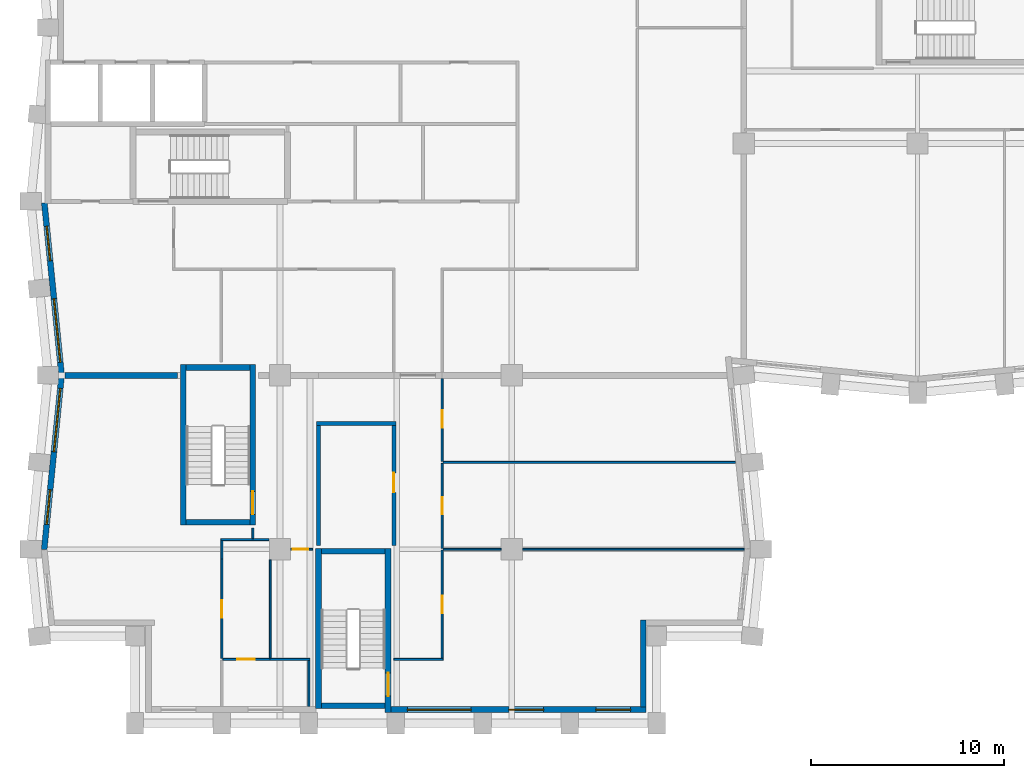
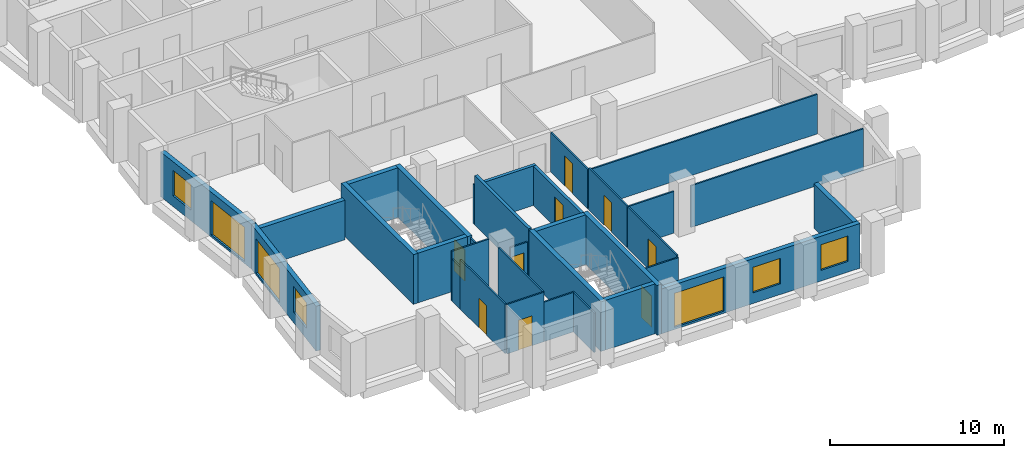
# One storey, part 3 of 10: 32 walls, 9 doors, 7 windows, 16 openings.
"""IFC4 building model written with IfcOpenShell, lengths in metres."""

from ifc_helpers import new_model, si_unit, direction, frame, frame_2d, origin, place, context, subcontext, project, spatial, rectangle, extrude, material, layer, layer_set, type_object, element, fill, save


model = new_model("IFC4")

# Units and contexts
model_context = context("Model", 3, precision=1e-05, world=origin(), true_north=direction((0.0, 1.0)))
body_context = subcontext(model_context, "Body", "Model", "MODEL_VIEW")
ifc_project = project(units=[si_unit("LENGTHUNIT", "METRE"), si_unit("AREAUNIT", "SQUARE_METRE"), si_unit("VOLUMEUNIT", "CUBIC_METRE"), si_unit("PLANEANGLEUNIT", "RADIAN"), si_unit("MASSUNIT", "GRAM", prefix="KILO")], contexts=[model_context])

# Site, building, storey
site_placement = place(None, origin())
site = spatial("IfcSite", under=ifc_project, at=site_placement, CompositionType="ELEMENT")
building_placement = place(site_placement, origin())
building = spatial("IfcBuilding", under=site, at=building_placement, Name="Brondeck Convention Tower", CompositionType="ELEMENT")
storey_placement = place(building_placement, frame((0.0, 0.0, 158.60009765625)))
storey = spatial("IfcBuildingStorey", under=building, at=storey_placement, Name="L38", CompositionType="ELEMENT", Elevation=158.60009765625)

# Wall
ifc_material_1 = material(Name="Concrete compartment wall C30/37", Category="concrete")
ifc_layer_1 = layer(ifc_material_1, 0.300048828125)
ifc_layer_set_1 = layer_set([ifc_layer_1], Name="Compartment wall 300")
wall_type_1 = type_object("IfcWallType", Name="Compartment wall 300", PredefinedType="PARTITIONING", material=ifc_layer_set_1)
wall_1_placement = place(storey_placement, frame((0.8740234375, 27.0, 0.0), z_axis=(0.0, 0.0, 1.0), x_axis=(1.0, 0.0, 0.0)))
element("IfcWall", 1, at=wall_1_placement, inside=storey, type_object=wall_type_1, Name="FLR-L38-W022", PredefinedType="PARTITIONING", context=body_context, shape_type="SweptSolid", body=[
    extrude(rectangle(XDim=5.825927734375, YDim=0.300048828125, at=frame_2d((2.9130859375, 0.0))), origin(), (0.0, 0.0, 1.0), 2.77978515625),
])

# Wall, openings, windows
ifc_material_2 = material(Name="Precast concrete C50/60 bronze finish", Category="concrete")
ifc_layer_2 = layer(ifc_material_2, 0.070068359375, Name="Bronze precast facing")
ifc_material_3 = material(Name="Mineral wool")
ifc_layer_3 = layer(ifc_material_3, 0.159912109375, Name="Insulation")
ifc_material_4 = material(Name="Concrete C35/45", Category="concrete")
ifc_layer_4 = layer(ifc_material_4, 0.070068359375, Name="Backing")
ifc_layer_set_2 = layer_set([ifc_layer_2, ifc_layer_3, ifc_layer_4], Name="External infill wall, precast concrete C50/60 bronze facing")
wall_type_2 = type_object("IfcWallType", Name="External infill wall, precast concrete C50/60 bronze facing", PredefinedType="SOLIDWALL", material=ifc_layer_set_2)
wall_2_placement = place(storey_placement, frame((30.949951171875, 9.699951171875, 0.0), z_axis=(0.0, 0.0, 1.0), x_axis=(-1.0, 0.0, 0.0)))
wall_2 = element("IfcWall", 2, at=wall_2_placement, inside=storey, type_object=wall_type_2, Name="ENV-EW-L38-P1-B-S9-04", PredefinedType="SOLIDWALL", context=body_context, shape_type="SweptSolid", body=[
    extrude(rectangle(XDim=13.199951171875, YDim=0.300048828125, at=frame_2d((6.60009765625, 0.0))), origin(), (0.0, 0.0, 1.0), 3.14990234375),
])
opening_1_placement = place(wall_2_placement, frame((0.800048828125, 0.0, 0.75)))
opening_1 = element("IfcOpeningElement", 3, at=opening_1_placement, cuts=wall_2, Name="Opening W10", PredefinedType="OPENING", context=body_context, shape_type="SweptSolid", body=[
    extrude(rectangle(XDim=1.800048828125, YDim=1.800048828125, at=frame_2d((0.89990234375, 0.89990234375))), frame((0.0, 0.159912109375, 0.0), z_axis=(0.0, -1.0, 0.0), x_axis=(1.0, 0.0, 0.0)), (0.0, 0.0, 1.0), 0.320068359375),
])
opening_2_placement = place(wall_2_placement, frame((5.300048828125, 0.0, 0.75)))
opening_2 = element("IfcOpeningElement", 4, at=opening_2_placement, cuts=wall_2, Name="Opening W10", PredefinedType="OPENING", context=body_context, shape_type="SweptSolid", body=[
    extrude(rectangle(XDim=1.800048828125, YDim=1.800048828125, at=frame_2d((0.89990234375, 0.89990234375))), frame((0.0, 0.159912109375, 0.0), z_axis=(0.0, -1.0, 0.0), x_axis=(1.0, 0.0, 0.0)), (0.0, 0.0, 1.0), 0.320068359375),
])
opening_3_placement = place(wall_2_placement, frame((9.050048828125, 0.0, 0.14990234375)))
opening_3 = element("IfcOpeningElement", 5, at=opening_3_placement, cuts=wall_2, Name="Opening W9", PredefinedType="OPENING", context=body_context, shape_type="SweptSolid", body=[
    extrude(rectangle(XDim=3.300048828125, YDim=2.39990234375, at=frame_2d((1.64990234375, 1.199951171875))), frame((0.0, 0.159912109375, 0.0), z_axis=(0.0, -1.0, 0.0), x_axis=(1.0, 0.0, 0.0)), (0.0, 0.0, 1.0), 0.320068359375),
])
ifc_material_5 = material(Name="Bronze tinted double glazing", Category="glass")
window_type_1 = type_object("IfcWindowType", Name="Glazed flute window, bronze tinted", PartitioningType="SINGLE_PANEL", PredefinedType="WINDOW", material=ifc_material_5)
window_1_placement = place(opening_3_placement, origin())
window_1 = element("IfcWindow", 6, at=window_1_placement, inside=storey, type_object=window_type_1, Name="ENV-WN-L38-P1-B-S9-04", OverallHeight=2.39990234375, OverallWidth=3.300048828125, PartitioningType="SINGLE_PANEL", PredefinedType="WINDOW", context=body_context, shape_type="SweptSolid", body=[
    extrude(rectangle(XDim=3.300048828125, YDim=2.39990234375, at=frame_2d((1.64990234375, 1.199951171875))), frame((0.0, 0.030029296875, 0.0), z_axis=(0.0, -1.0, 0.0), x_axis=(1.0, 0.0, 0.0)), (0.0, 0.0, 1.0), 0.06005859375),
])
fill(opening_3, window_1)
window_type_2 = type_object("IfcWindowType", Name="Punched window, bronze tinted", PartitioningType="SINGLE_PANEL", PredefinedType="WINDOW", material=ifc_material_5)
window_2_placement = place(opening_1_placement, origin())
window_2 = element("IfcWindow", 7, at=window_2_placement, inside=storey, type_object=window_type_2, Name="ENV-WN-L38-P1-B-S9-06", OverallHeight=1.800048828125, OverallWidth=1.800048828125, PartitioningType="SINGLE_PANEL", PredefinedType="WINDOW", context=body_context, shape_type="SweptSolid", body=[
    extrude(rectangle(XDim=1.800048828125, YDim=1.800048828125, at=frame_2d((0.89990234375, 0.89990234375))), frame((0.0, 0.030029296875, 0.0), z_axis=(0.0, -1.0, 0.0), x_axis=(1.0, 0.0, 0.0)), (0.0, 0.0, 1.0), 0.06005859375),
])
fill(opening_1, window_2)
window_3_placement = place(opening_2_placement, origin())
window_3 = element("IfcWindow", 8, at=window_3_placement, inside=storey, type_object=window_type_2, Name="ENV-WN-L38-P1-B-S9-05", OverallHeight=1.800048828125, OverallWidth=1.800048828125, PartitioningType="SINGLE_PANEL", PredefinedType="WINDOW", context=body_context, shape_type="SweptSolid", body=[
    extrude(rectangle(XDim=1.800048828125, YDim=1.800048828125, at=frame_2d((0.89990234375, 0.89990234375))), frame((0.0, 0.030029296875, 0.0), z_axis=(0.0, -1.0, 0.0), x_axis=(1.0, 0.0, 0.0)), (0.0, 0.0, 1.0), 0.06005859375),
])
fill(opening_2, window_3)

# Wall
wall_3_placement = place(storey_placement, frame((30.800048828125, 14.35009765625, 0.0), z_axis=(0.0, 0.0, 1.0), x_axis=(0.0, -1.0, 0.0)))
element("IfcWall", 9, at=wall_3_placement, inside=storey, type_object=wall_type_2, Name="ENV-EW-L38-P1-NC-SEB9-01", PredefinedType="SOLIDWALL", context=body_context, shape_type="SweptSolid", body=[
    extrude(rectangle(XDim=4.502197265625, YDim=0.300048828125, at=frame_2d((2.2509765625, 0.0))), origin(), (0.0, 0.0, 1.0), 3.14990234375),
])

# Wall, openings, windows
wall_4_placement = place(storey_placement, frame((0.705078125, 26.985107421875, 0.0), z_axis=(0.0, 0.0, 1.0), x_axis=(-0.099533329093, 0.995034228758, 0.0)))
wall_4 = element("IfcWall", 10, at=wall_4_placement, inside=storey, type_object=wall_type_2, Name="ENV-EW-L38-P1-B-W-06", PredefinedType="SOLIDWALL", context=body_context, shape_type="SweptSolid", body=[
    extrude(rectangle(XDim=8.97998046875, YDim=0.300048828125, at=frame_2d((4.489990234375, 0.0))), origin(), (0.0, 0.0, 1.0), 3.14990234375),
])
opening_4_placement = place(wall_4_placement, frame((0.6962890625, 0.0, 0.14990234375)))
opening_4 = element("IfcOpeningElement", 11, at=opening_4_placement, cuts=wall_4, Name="Opening W9", PredefinedType="OPENING", context=body_context, shape_type="SweptSolid", body=[
    extrude(rectangle(XDim=3.300048828125, YDim=2.39990234375, at=frame_2d((1.64990234375, 1.199951171875))), frame((0.0, 0.159912109375, 0.0), z_axis=(0.0, -1.0, 0.0), x_axis=(1.0, 0.0, 0.0)), (0.0, 0.0, 1.0), 0.320068359375),
])
opening_5_placement = place(wall_4_placement, frame((5.968505859375, 0.0, 0.75)))
opening_5 = element("IfcOpeningElement", 12, at=opening_5_placement, cuts=wall_4, Name="Opening W10", PredefinedType="OPENING", context=body_context, shape_type="SweptSolid", body=[
    extrude(rectangle(XDim=1.800048828125, YDim=1.800048828125, at=frame_2d((0.89990234375, 0.89990234375))), frame((0.0, 0.159912109375, 0.0), z_axis=(0.0, -1.0, 0.0), x_axis=(1.0, 0.0, 0.0)), (0.0, 0.0, 1.0), 0.320068359375),
])
window_4_placement = place(opening_4_placement, origin())
window_4 = element("IfcWindow", 13, at=window_4_placement, inside=storey, type_object=window_type_1, Name="ENV-WN-L38-P1-B-W-07", OverallHeight=2.39990234375, OverallWidth=3.300048828125, PartitioningType="SINGLE_PANEL", PredefinedType="WINDOW", context=body_context, shape_type="SweptSolid", body=[
    extrude(rectangle(XDim=3.300048828125, YDim=2.39990234375, at=frame_2d((1.64990234375, 1.199951171875))), frame((0.0, 0.030029296875, 0.0), z_axis=(0.0, -1.0, 0.0), x_axis=(1.0, 0.0, 0.0)), (0.0, 0.0, 1.0), 0.06005859375),
])
fill(opening_4, window_4)
window_5_placement = place(opening_5_placement, origin())
window_5 = element("IfcWindow", 14, at=window_5_placement, inside=storey, type_object=window_type_2, Name="ENV-WN-L38-P1-B-W-06", OverallHeight=1.800048828125, OverallWidth=1.800048828125, PartitioningType="SINGLE_PANEL", PredefinedType="WINDOW", context=body_context, shape_type="SweptSolid", body=[
    extrude(rectangle(XDim=1.800048828125, YDim=1.800048828125, at=frame_2d((0.89990234375, 0.89990234375))), frame((0.0, 0.030029296875, 0.0), z_axis=(0.0, -1.0, 0.0), x_axis=(1.0, 0.0, 0.0)), (0.0, 0.0, 1.0), 0.06005859375),
])
fill(opening_5, window_5)

wall_5_placement = place(storey_placement, frame((-0.197998046875, 17.985107421875, 0.0), z_axis=(0.0, 0.0, 1.0), x_axis=(0.099495688264, 0.995037993253, 0.0)))
wall_5 = element("IfcWall", 15, at=wall_5_placement, inside=storey, type_object=wall_type_2, Name="ENV-EW-L38-P1-B-W-08", PredefinedType="SOLIDWALL", context=body_context, shape_type="SweptSolid", body=[
    extrude(rectangle(XDim=9.030029296875, YDim=0.300048828125, at=frame_2d((4.51513671875, 0.0))), origin(), (0.0, 0.0, 1.0), 3.14990234375),
])
opening_6_placement = place(wall_5_placement, frame((1.30615234375, 0.0, 0.75)))
opening_6 = element("IfcOpeningElement", 16, at=opening_6_placement, cuts=wall_5, Name="Opening W10", PredefinedType="OPENING", context=body_context, shape_type="SweptSolid", body=[
    extrude(rectangle(XDim=1.800048828125, YDim=1.800048828125, at=frame_2d((0.89990234375, 0.89990234375))), frame((0.0, 0.159912109375, 0.0), z_axis=(0.0, -1.0, 0.0), x_axis=(1.0, 0.0, 0.0)), (0.0, 0.0, 1.0), 0.320068359375),
])
opening_7_placement = place(wall_5_placement, frame((5.07861328125, 0.0, 0.14990234375)))
opening_7 = element("IfcOpeningElement", 17, at=opening_7_placement, cuts=wall_5, Name="Opening W9", PredefinedType="OPENING", context=body_context, shape_type="SweptSolid", body=[
    extrude(rectangle(XDim=3.300048828125, YDim=2.39990234375, at=frame_2d((1.64990234375, 1.199951171875))), frame((0.0, 0.159912109375, 0.0), z_axis=(0.0, -1.0, 0.0), x_axis=(1.0, 0.0, 0.0)), (0.0, 0.0, 1.0), 0.320068359375),
])
window_6_placement = place(opening_7_placement, origin())
window_6 = element("IfcWindow", 18, at=window_6_placement, inside=storey, type_object=window_type_1, Name="ENV-WN-L38-P1-B-W-08", OverallHeight=2.39990234375, OverallWidth=3.300048828125, PartitioningType="SINGLE_PANEL", PredefinedType="WINDOW", context=body_context, shape_type="SweptSolid", body=[
    extrude(rectangle(XDim=3.300048828125, YDim=2.39990234375, at=frame_2d((1.64990234375, 1.199951171875))), frame((0.0, 0.030029296875, 0.0), z_axis=(0.0, -1.0, 0.0), x_axis=(1.0, 0.0, 0.0)), (0.0, 0.0, 1.0), 0.06005859375),
])
fill(opening_7, window_6)
window_7_placement = place(opening_6_placement, origin())
window_7 = element("IfcWindow", 19, at=window_7_placement, inside=storey, type_object=window_type_2, Name="ENV-WN-L38-P1-B-W-09", OverallHeight=1.800048828125, OverallWidth=1.800048828125, PartitioningType="SINGLE_PANEL", PredefinedType="WINDOW", context=body_context, shape_type="SweptSolid", body=[
    extrude(rectangle(XDim=1.800048828125, YDim=1.800048828125, at=frame_2d((0.89990234375, 0.89990234375))), frame((0.0, 0.030029296875, 0.0), z_axis=(0.0, -1.0, 0.0), x_axis=(1.0, 0.0, 0.0)), (0.0, 0.0, 1.0), 0.06005859375),
])
fill(opening_6, window_7)

# Wall, opening, door
ifc_material_6 = material(Name="Concrete block wall C16/20", Category="concrete")
ifc_layer_5 = layer(ifc_material_6, 0.199951171875)
ifc_layer_set_3 = layer_set([ifc_layer_5], Name="Plant room wall 200")
wall_type_3 = type_object("IfcWallType", Name="Plant room wall 200", PredefinedType="PARTITIONING", material=ifc_layer_set_3)
wall_6_placement = place(storey_placement, frame((17.89990234375, 18.199951171875, 0.0), z_axis=(0.0, 0.0, 1.0), x_axis=(0.0, 1.0, 0.0)))
wall_6 = element("IfcWall", 20, at=wall_6_placement, inside=storey, type_object=wall_type_3, Name="FLR-L38-W014", PredefinedType="PARTITIONING", context=body_context, shape_type="SweptSolid", body=[
    extrude(rectangle(XDim=6.199951171875, YDim=0.199951171875, at=frame_2d((3.10009765625, 0.0))), origin(), (0.0, 0.0, 1.0), 2.77978515625),
])
opening_8_placement = place(wall_6_placement, frame((2.75, 0.0, 0.0)))
opening_8 = element("IfcOpeningElement", 21, at=opening_8_placement, cuts=wall_6, Name="Opening OF-G-003", PredefinedType="OPENING", context=body_context, shape_type="SweptSolid", body=[
    extrude(rectangle(XDim=1.0, YDim=2.10009765625, at=frame_2d((0.5, 1.050048828125))), frame((0.0, 0.10986328125, 0.0), z_axis=(0.0, -1.0, 0.0), x_axis=(1.0, 0.0, 0.0)), (0.0, 0.0, 1.0), 0.219970703125),
])
ifc_material_7 = material(Name="Steel fire door leaf", Category="steel")
door_type_1 = type_object("IfcDoorType", Name="Plant room door 1000", OperationType="NOTDEFINED", PredefinedType="DOOR", material=ifc_material_7)
door_1_placement = place(opening_8_placement, origin())
door_1 = element("IfcDoor", 22, at=door_1_placement, inside=storey, type_object=door_type_1, Name="Door OF-G-003", OperationType="SINGLE_SWING_LEFT", OverallHeight=2.10009765625, OverallWidth=1.0, PredefinedType="DOOR", context=body_context, shape_type="SweptSolid", body=[
    extrude(rectangle(XDim=1.0, YDim=2.10009765625, at=frame_2d((0.5, 1.050048828125))), frame((0.0, 0.02490234375, 0.0), z_axis=(0.0, -1.0, 0.0), x_axis=(1.0, 0.0, 0.0)), (0.0, 0.0, 1.0), 0.050048828125),
])
fill(opening_8, door_1)

# Walls
wall_7_placement = place(storey_placement, frame((14.0, 24.39990234375, 0.0), z_axis=(0.0, 0.0, 1.0), x_axis=(0.0, -1.0, 0.0)))
element("IfcWall", 23, at=wall_7_placement, inside=storey, type_object=wall_type_3, Name="FLR-L38-W019", PredefinedType="PARTITIONING", context=body_context, shape_type="SweptSolid", body=[
    extrude(rectangle(XDim=6.199951171875, YDim=0.199951171875, at=frame_2d((3.10009765625, 0.0))), origin(), (0.0, 0.0, 1.0), 3.47998046875),
])
wall_8_placement = place(storey_placement, frame((18.0, 24.5, 0.0), z_axis=(0.0, 0.0, 1.0), x_axis=(-1.0, 0.0, 0.0)))
element("IfcWall", 24, at=wall_8_placement, inside=storey, type_object=wall_type_3, Name="FLR-L38-W020", PredefinedType="PARTITIONING", context=body_context, shape_type="SweptSolid", body=[
    extrude(rectangle(XDim=4.10009765625, YDim=0.199951171875, at=frame_2d((2.050048828125, 0.0))), origin(), (0.0, 0.0, 1.0), 2.77978515625),
])
ifc_material_8 = material(Name="Gypsum board partition on steel studs", Category="steel")
ifc_layer_6 = layer(ifc_material_8, 0.10009765625)
ifc_layer_set_4 = layer_set([ifc_layer_6], Name="Room partition 100")
wall_type_4 = type_object("IfcWallType", Name="Room partition 100", PredefinedType="PARTITIONING", material=ifc_layer_set_4)
wall_9_placement = place(storey_placement, frame((13.5, 12.25, 0.0), z_axis=(0.0, 0.0, 1.0), x_axis=(0.0, -1.0, 0.0)))
element("IfcWall", 25, at=wall_9_placement, inside=storey, type_object=wall_type_4, Name="FLR-L38-W003", PredefinedType="PARTITIONING", context=body_context, shape_type="SweptSolid", body=[
    extrude(rectangle(XDim=2.3798828125, YDim=0.10009765625, at=frame_2d((1.18994140625, 0.0))), origin(), (0.0, 0.0, 1.0), 2.77978515625),
])

# Wall, opening, door
wall_10_placement = place(storey_placement, frame((11.5, 12.300048828125, 0.0), z_axis=(0.0, 0.0, 1.0), x_axis=(-1.0, 0.0, 0.0)))
wall_10 = element("IfcWall", 26, at=wall_10_placement, inside=storey, type_object=wall_type_4, Name="FLR-L38-W004", PredefinedType="PARTITIONING", context=body_context, shape_type="SweptSolid", body=[
    extrude(rectangle(XDim=2.449951171875, YDim=0.10009765625, at=frame_2d((1.22509765625, 0.0))), origin(), (0.0, 0.0, 1.0), 3.47998046875),
])
opening_9_placement = place(wall_10_placement, frame((0.800048828125, 0.0, 0.0)))
opening_9 = element("IfcOpeningElement", 27, at=opening_9_placement, cuts=wall_10, Name="Opening OF-G-001", PredefinedType="OPENING", context=body_context, shape_type="SweptSolid", body=[
    extrude(rectangle(XDim=0.89990234375, YDim=2.10009765625, at=frame_2d((0.449951171875, 1.050048828125))), frame((0.0, 0.06005859375, 0.0), z_axis=(0.0, -1.0, 0.0), x_axis=(1.0, 0.0, 0.0)), (0.0, 0.0, 1.0), 0.1201171875),
])
ifc_material_9 = material(Name="Solid timber door leaf", Category="wood")
door_type_2 = type_object("IfcDoorType", Name="Single door 900", OperationType="NOTDEFINED", PredefinedType="DOOR", material=ifc_material_9)
door_2_placement = place(opening_9_placement, origin())
door_2 = element("IfcDoor", 28, at=door_2_placement, inside=storey, type_object=door_type_2, Name="Door OF-G-001", OperationType="SINGLE_SWING_RIGHT", OverallHeight=2.10009765625, OverallWidth=0.89990234375, PredefinedType="DOOR", context=body_context, shape_type="SweptSolid", body=[
    extrude(rectangle(XDim=0.89990234375, YDim=2.10009765625, at=frame_2d((0.449951171875, 1.050048828125))), frame((0.0, 0.02490234375, 0.0), z_axis=(0.0, -1.0, 0.0), x_axis=(1.0, 0.0, 0.0)), (0.0, 0.0, 1.0), 0.050048828125),
])
fill(opening_9, door_2)

# Walls
wall_11_placement = place(storey_placement, frame((11.5, 12.300048828125, 0.0), z_axis=(0.0, 0.0, 1.0), x_axis=(1.0, 0.0, 0.0)))
element("IfcWall", 29, at=wall_11_placement, inside=storey, type_object=wall_type_4, Name="FLR-L38-W005", PredefinedType="PARTITIONING", context=body_context, shape_type="SweptSolid", body=[
    extrude(rectangle(XDim=2.050048828125, YDim=0.10009765625, at=frame_2d((1.02490234375, 0.0))), origin(), (0.0, 0.0, 1.0), 2.77978515625),
])
wall_12_placement = place(storey_placement, frame((20.449951171875, 12.300048828125, 0.0), z_axis=(0.0, 0.0, 1.0), x_axis=(-1.0, 0.0, 0.0)))
element("IfcWall", 30, at=wall_12_placement, inside=storey, type_object=wall_type_4, Name="FLR-L38-W006", PredefinedType="PARTITIONING", context=body_context, shape_type="SweptSolid", body=[
    extrude(rectangle(XDim=2.550048828125, YDim=0.10009765625, at=frame_2d((1.27490234375, 0.0))), origin(), (0.0, 0.0, 1.0), 2.77978515625),
])

# Wall, opening, door
wall_13_placement = place(storey_placement, frame((9.0, 12.35009765625, 0.0), z_axis=(0.0, 0.0, 1.0), x_axis=(0.0, 1.0, 0.0)))
wall_13 = element("IfcWall", 31, at=wall_13_placement, inside=storey, type_object=wall_type_4, Name="FLR-L38-W007", PredefinedType="PARTITIONING", context=body_context, shape_type="SweptSolid", body=[
    extrude(rectangle(XDim=5.14990234375, YDim=0.10009765625, at=frame_2d((2.574951171875, 0.0))), origin(), (0.0, 0.0, 1.0), 3.47998046875),
])
opening_10_placement = place(wall_13_placement, frame((2.10009765625, 0.0, 0.0)))
opening_10 = element("IfcOpeningElement", 32, at=opening_10_placement, cuts=wall_13, Name="Opening OF-G-012", PredefinedType="OPENING", context=body_context, shape_type="SweptSolid", body=[
    extrude(rectangle(XDim=0.89990234375, YDim=2.10009765625, at=frame_2d((0.449951171875, 1.050048828125))), frame((0.0, 0.06005859375, 0.0), z_axis=(0.0, -1.0, 0.0), x_axis=(1.0, 0.0, 0.0)), (0.0, 0.0, 1.0), 0.1201171875),
])
door_3_placement = place(opening_10_placement, origin())
door_3 = element("IfcDoor", 33, at=door_3_placement, inside=storey, type_object=door_type_2, Name="Door OF-G-012", OperationType="SINGLE_SWING_RIGHT", OverallHeight=2.10009765625, OverallWidth=0.89990234375, PredefinedType="DOOR", context=body_context, shape_type="SweptSolid", body=[
    extrude(rectangle(XDim=0.89990234375, YDim=2.10009765625, at=frame_2d((0.449951171875, 1.050048828125))), frame((0.0, 0.02490234375, 0.0), z_axis=(0.0, -1.0, 0.0), x_axis=(1.0, 0.0, 0.0)), (0.0, 0.0, 1.0), 0.050048828125),
])
fill(opening_10, door_3)

# Walls
wall_14_placement = place(storey_placement, frame((11.5, 17.445068359375, 0.0), z_axis=(0.0, 0.0, 1.0), x_axis=(0.0, -1.0, 0.0)))
element("IfcWall", 34, at=wall_14_placement, inside=storey, type_object=wall_type_4, Name="FLR-L38-W008", PredefinedType="PARTITIONING", context=body_context, shape_type="SweptSolid", body=[
    extrude(rectangle(XDim=5.094970703125, YDim=0.10009765625, at=frame_2d((2.54736328125, 0.0))), origin(), (0.0, 0.0, 1.0), 3.47998046875),
])
wall_15_placement = place(storey_placement, frame((9.0, 17.5, 0.0), z_axis=(0.0, 0.0, 1.0), x_axis=(0.0, 1.0, 0.0)))
element("IfcWall", 35, at=wall_15_placement, inside=storey, type_object=wall_type_4, Name="FLR-L38-W009", PredefinedType="PARTITIONING", context=body_context, shape_type="SweptSolid", body=[
    extrude(rectangle(XDim=0.949951171875, YDim=0.10009765625, at=frame_2d((0.47509765625, 0.0))), origin(), (0.0, 0.0, 1.0), 2.929931640625),
])

# Wall, opening, door
wall_16_placement = place(storey_placement, frame((20.39990234375, 17.949951171875, 0.0), z_axis=(0.0, 0.0, 1.0), x_axis=(0.0, -1.0, 0.0)))
wall_16 = element("IfcWall", 36, at=wall_16_placement, inside=storey, type_object=wall_type_4, Name="FLR-L38-W010", PredefinedType="PARTITIONING", context=body_context, shape_type="SweptSolid", body=[
    extrude(rectangle(XDim=5.599853515625, YDim=0.10009765625, at=frame_2d((2.7998046875, 0.0))), origin(), (0.0, 0.0, 1.0), 2.929931640625),
])
opening_11_placement = place(wall_16_placement, frame((2.35009765625, 0.0, 0.0)))
opening_11 = element("IfcOpeningElement", 37, at=opening_11_placement, cuts=wall_16, Name="Opening OF-G-011", PredefinedType="OPENING", context=body_context, shape_type="SweptSolid", body=[
    extrude(rectangle(XDim=0.89990234375, YDim=2.10009765625, at=frame_2d((0.449951171875, 1.050048828125))), frame((0.0, 0.06005859375, 0.0), z_axis=(0.0, -1.0, 0.0), x_axis=(1.0, 0.0, 0.0)), (0.0, 0.0, 1.0), 0.1201171875),
])
door_4_placement = place(opening_11_placement, origin())
door_4 = element("IfcDoor", 38, at=door_4_placement, inside=storey, type_object=door_type_2, Name="Door OF-G-011", OperationType="SINGLE_SWING_LEFT", OverallHeight=2.10009765625, OverallWidth=0.89990234375, PredefinedType="DOOR", context=body_context, shape_type="SweptSolid", body=[
    extrude(rectangle(XDim=0.89990234375, YDim=2.10009765625, at=frame_2d((0.449951171875, 1.050048828125))), frame((0.0, 0.02490234375, 0.0), z_axis=(0.0, -1.0, 0.0), x_axis=(1.0, 0.0, 0.0)), (0.0, 0.0, 1.0), 0.050048828125),
])
fill(opening_11, door_4)

wall_17_placement = place(storey_placement, frame((13.699951171875, 18.0, 0.0), z_axis=(0.0, 0.0, 1.0), x_axis=(-1.0, 0.0, 0.0)))
wall_17 = element("IfcWall", 39, at=wall_17_placement, inside=storey, type_object=wall_type_4, Name="FLR-L38-W011", PredefinedType="PARTITIONING", context=body_context, shape_type="SweptSolid", body=[
    extrude(rectangle(XDim=1.14501953125, YDim=0.10009765625, at=frame_2d((0.572509765625, 0.0))), origin(), (0.0, 0.0, 1.0), 2.77978515625),
])
opening_12_placement = place(wall_17_placement, frame((0.2451171875, 0.0, 0.0)))
opening_12 = element("IfcOpeningElement", 40, at=opening_12_placement, cuts=wall_17, Name="Opening OF-G-004", PredefinedType="OPENING", context=body_context, shape_type="SweptSolid", body=[
    extrude(rectangle(XDim=0.800048828125, YDim=2.10009765625, at=frame_2d((0.39990234375, 1.050048828125))), frame((0.0, 0.06005859375, 0.0), z_axis=(0.0, -1.0, 0.0), x_axis=(1.0, 0.0, 0.0)), (0.0, 0.0, 1.0), 0.1201171875),
])
ifc_material_10 = material(Name="Steel service door leaf", Category="steel")
door_type_3 = type_object("IfcDoorType", Name="Service door 800", OperationType="NOTDEFINED", PredefinedType="DOOR", material=ifc_material_10)
door_5_placement = place(opening_12_placement, origin())
door_5 = element("IfcDoor", 41, at=door_5_placement, inside=storey, type_object=door_type_3, Name="Door OF-G-004", OperationType="SINGLE_SWING_LEFT", OverallHeight=2.10009765625, OverallWidth=0.800048828125, PredefinedType="DOOR", context=body_context, shape_type="SweptSolid", body=[
    extrude(rectangle(XDim=0.800048828125, YDim=2.10009765625, at=frame_2d((0.39990234375, 1.050048828125))), frame((0.0, 0.02490234375, 0.0), z_axis=(0.0, -1.0, 0.0), x_axis=(1.0, 0.0, 0.0)), (0.0, 0.0, 1.0), 0.050048828125),
])
fill(opening_12, door_5)

# Walls
wall_18_placement = place(storey_placement, frame((23.445068359375, 18.0, 0.0), z_axis=(0.0, 0.0, 1.0), x_axis=(-1.0, 0.0, 0.0)))
element("IfcWall", 42, at=wall_18_placement, inside=storey, type_object=wall_type_4, Name="FLR-L38-W012", PredefinedType="PARTITIONING", context=body_context, shape_type="SweptSolid", body=[
    extrude(rectangle(XDim=2.9951171875, YDim=0.10009765625, at=frame_2d((1.49755859375, 0.0))), origin(), (0.0, 0.0, 1.0), 2.929931640625),
])
wall_19_placement = place(storey_placement, frame((36.02587890625, 18.0, 0.0), z_axis=(0.0, 0.0, 1.0), x_axis=(-1.0, 0.0, 0.0)))
element("IfcWall", 43, at=wall_19_placement, inside=storey, type_object=wall_type_4, Name="FLR-L38-W013", PredefinedType="PARTITIONING", context=body_context, shape_type="SweptSolid", body=[
    extrude(rectangle(XDim=11.470947265625, YDim=0.10009765625, at=frame_2d((5.7353515625, 0.0))), origin(), (0.0, 0.0, 1.0), 2.929931640625),
])
wall_20_placement = place(storey_placement, frame((8.949951171875, 18.5, 0.0), z_axis=(0.0, 0.0, 1.0), x_axis=(1.0, 0.0, 0.0)))
element("IfcWall", 44, at=wall_20_placement, inside=storey, type_object=wall_type_4, Name="FLR-L38-W015", PredefinedType="PARTITIONING", context=body_context, shape_type="SweptSolid", body=[
    extrude(rectangle(XDim=2.47998046875, YDim=0.10009765625, at=frame_2d((1.239990234375, 0.0))), origin(), (0.0, 0.0, 1.0), 3.47998046875),
])
wall_21_placement = place(storey_placement, frame((10.60009765625, 18.550048828125, 0.0), z_axis=(0.0, 0.0, 1.0), x_axis=(0.0, 1.0, 0.0)))
element("IfcWall", 45, at=wall_21_placement, inside=storey, type_object=wall_type_4, Name="FLR-L38-W016", PredefinedType="PARTITIONING", context=body_context, shape_type="SweptSolid", body=[
    extrude(rectangle(XDim=0.550048828125, YDim=0.10009765625, at=frame_2d((0.27490234375, 0.0))), origin(), (0.0, 0.0, 1.0), 3.47998046875),
])

# Wall, opening, door
wall_22_placement = place(storey_placement, frame((20.39990234375, 22.449951171875, 0.0), z_axis=(0.0, 0.0, 1.0), x_axis=(0.0, -1.0, 0.0)))
wall_22 = element("IfcWall", 46, at=wall_22_placement, inside=storey, type_object=wall_type_4, Name="FLR-L38-W017", PredefinedType="PARTITIONING", context=body_context, shape_type="SweptSolid", body=[
    extrude(rectangle(XDim=4.39990234375, YDim=0.10009765625, at=frame_2d((2.199951171875, 0.0))), origin(), (0.0, 0.0, 1.0), 2.929931640625),
])
opening_13_placement = place(wall_22_placement, frame((1.75, 0.0, 0.0)))
opening_13 = element("IfcOpeningElement", 47, at=opening_13_placement, cuts=wall_22, Name="Opening OF-G-010", PredefinedType="OPENING", context=body_context, shape_type="SweptSolid", body=[
    extrude(rectangle(XDim=0.89990234375, YDim=2.10009765625, at=frame_2d((0.449951171875, 1.050048828125))), frame((0.0, 0.06005859375, 0.0), z_axis=(0.0, -1.0, 0.0), x_axis=(1.0, 0.0, 0.0)), (0.0, 0.0, 1.0), 0.1201171875),
])
door_6_placement = place(opening_13_placement, origin())
door_6 = element("IfcDoor", 48, at=door_6_placement, inside=storey, type_object=door_type_2, Name="Door OF-G-010", OperationType="SINGLE_SWING_RIGHT", OverallHeight=2.10009765625, OverallWidth=0.89990234375, PredefinedType="DOOR", context=body_context, shape_type="SweptSolid", body=[
    extrude(rectangle(XDim=0.89990234375, YDim=2.10009765625, at=frame_2d((0.449951171875, 1.050048828125))), frame((0.0, 0.02490234375, 0.0), z_axis=(0.0, -1.0, 0.0), x_axis=(1.0, 0.0, 0.0)), (0.0, 0.0, 1.0), 0.050048828125),
])
fill(opening_13, door_6)

# Wall
wall_23_placement = place(storey_placement, frame((35.57568359375, 22.5, 0.0), z_axis=(0.0, 0.0, 1.0), x_axis=(-1.0, 0.0, 0.0)))
element("IfcWall", 49, at=wall_23_placement, inside=storey, type_object=wall_type_4, Name="FLR-L38-W018", PredefinedType="PARTITIONING", context=body_context, shape_type="SweptSolid", body=[
    extrude(rectangle(XDim=15.125732421875, YDim=0.10009765625, at=frame_2d((7.56298828125, 0.0))), origin(), (0.0, 0.0, 1.0), 2.77978515625),
])

# Wall, opening, door
wall_24_placement = place(storey_placement, frame((20.39990234375, 26.830078125, 0.0), z_axis=(0.0, 0.0, 1.0), x_axis=(0.0, -1.0, 0.0)))
wall_24 = element("IfcWall", 50, at=wall_24_placement, inside=storey, type_object=wall_type_4, Name="FLR-L38-W021", PredefinedType="PARTITIONING", context=body_context, shape_type="SweptSolid", body=[
    extrude(rectangle(XDim=4.280029296875, YDim=0.10009765625, at=frame_2d((2.14013671875, 0.0))), origin(), (0.0, 0.0, 1.0), 2.77978515625),
])
opening_14_placement = place(wall_24_placement, frame((1.6298828125, 0.0, 0.0)))
opening_14 = element("IfcOpeningElement", 51, at=opening_14_placement, cuts=wall_24, Name="Opening OF-G-009", PredefinedType="OPENING", context=body_context, shape_type="SweptSolid", body=[
    extrude(rectangle(XDim=0.89990234375, YDim=2.10009765625, at=frame_2d((0.449951171875, 1.050048828125))), frame((0.0, 0.06005859375, 0.0), z_axis=(0.0, -1.0, 0.0), x_axis=(1.0, 0.0, 0.0)), (0.0, 0.0, 1.0), 0.1201171875),
])
door_7_placement = place(opening_14_placement, origin())
door_7 = element("IfcDoor", 52, at=door_7_placement, inside=storey, type_object=door_type_2, Name="Door OF-G-009", OperationType="SINGLE_SWING_LEFT", OverallHeight=2.10009765625, OverallWidth=0.89990234375, PredefinedType="DOOR", context=body_context, shape_type="SweptSolid", body=[
    extrude(rectangle(XDim=0.89990234375, YDim=2.10009765625, at=frame_2d((0.449951171875, 1.050048828125))), frame((0.0, 0.02490234375, 0.0), z_axis=(0.0, -1.0, 0.0), x_axis=(1.0, 0.0, 0.0)), (0.0, 0.0, 1.0), 0.050048828125),
])
fill(opening_14, door_7)

# Walls
ifc_material_11 = material(Name="Concrete C70/85", Category="concrete")
ifc_layer_7 = layer(ifc_material_11, 0.300048828125)
ifc_layer_set_5 = layer_set([ifc_layer_7], Name="Stair enclosure wall 300 Concrete C70/85")
wall_type_5 = type_object("IfcWallType", Name="Stair enclosure wall 300 Concrete C70/85", PredefinedType="SHEAR", material=ifc_layer_set_5)
for number, where, z_axis, x_axis, name in (
    (53, (14.14990234375, 9.89990234375, 0.0), (0.0, 0.0, 1.0), (1.0, 0.0, 0.0), "L38 core wall"),
    (54, (14.14990234375, 17.89990234375, 0.0), (0.0, 0.0, 1.0), (1.0, 0.0, 0.0), "L38 core wall"),
    (55, (7.14990234375, 19.39990234375, 0.0), (0.0, 0.0, 1.0), (1.0, 0.0, 0.0), "L38 core wall"),
    (56, (7.14990234375, 27.39990234375, 0.0), (0.0, 0.0, 1.0), (1.0, 0.0, 0.0), "L38 core wall"),
):
    element("IfcWall", number, at=place(storey_placement, frame(where, z_axis=z_axis, x_axis=x_axis)), inside=storey, type_object=wall_type_5, Name=name, PredefinedType="SHEAR", context=body_context, shape_type="SweptSolid", body=[
        extrude(rectangle(XDim=3.300048828125, YDim=0.300048828125, at=frame_2d((1.64990234375, 0.0))), origin(), (0.0, 0.0, 1.0), 3.5),
    ])
wall_25_placement = place(storey_placement, frame((7.0, 19.25, 0.0), z_axis=(0.0, 0.0, 1.0), x_axis=(0.0, 1.0, 0.0)))
element("IfcWall", 57, at=wall_25_placement, inside=storey, type_object=wall_type_5, Name="L38 core wall", PredefinedType="SHEAR", context=body_context, shape_type="SweptSolid", body=[
    extrude(rectangle(XDim=8.300048828125, YDim=0.300048828125, at=frame_2d((4.14990234375, 0.0))), origin(), (0.0, 0.0, 1.0), 3.5),
])

# Wall, opening, door
wall_26_placement = place(storey_placement, frame((10.60009765625, 19.25, 0.0), z_axis=(0.0, 0.0, 1.0), x_axis=(0.0, 1.0, 0.0)))
wall_26 = element("IfcWall", 58, at=wall_26_placement, inside=storey, type_object=wall_type_5, Name="L38 core wall", PredefinedType="SHEAR", context=body_context, shape_type="SweptSolid", body=[
    extrude(rectangle(XDim=8.300048828125, YDim=0.300048828125, at=frame_2d((4.14990234375, 0.0))), origin(), (0.0, 0.0, 1.0), 3.5),
])
opening_15_placement = place(wall_26_placement, frame((0.550048828125, 0.0, 0.0)))
opening_15 = element("IfcOpeningElement", 59, at=opening_15_placement, cuts=wall_26, Name="Opening C22-17", PredefinedType="OPENING", context=body_context, shape_type="SweptSolid", body=[
    extrude(rectangle(XDim=1.199951171875, YDim=2.199951171875, at=frame_2d((0.60009765625, 1.10009765625))), frame((0.0, 0.159912109375, 0.0), z_axis=(0.0, -1.0, 0.0), x_axis=(1.0, 0.0, 0.0)), (0.0, 0.0, 1.0), 0.320068359375),
])
ifc_material_12 = material(Name="Steel fire door", Category="steel")
door_type_4 = type_object("IfcDoorType", Name="Stair door 1200x2200 EI 90", OperationType="NOTDEFINED", PredefinedType="DOOR", material=ifc_material_12)
door_8_placement = place(opening_15_placement, origin())
door_8 = element("IfcDoor", 60, at=door_8_placement, inside=storey, type_object=door_type_4, Name="L38 Stair door ST-BE", OperationType="SINGLE_SWING_RIGHT", OverallHeight=2.199951171875, OverallWidth=1.199951171875, PredefinedType="DOOR", context=body_context, shape_type="SweptSolid", body=[
    extrude(rectangle(XDim=1.199951171875, YDim=2.199951171875, at=frame_2d((0.60009765625, 1.10009765625))), frame((0.0, 0.02490234375, 0.0), z_axis=(0.0, -1.0, 0.0), x_axis=(1.0, 0.0, 0.0)), (0.0, 0.0, 1.0), 0.050048828125),
])
fill(opening_15, door_8)

# Wall
wall_27_placement = place(storey_placement, frame((14.0, 9.75, 0.0), z_axis=(0.0, 0.0, 1.0), x_axis=(0.0, 1.0, 0.0)))
element("IfcWall", 61, at=wall_27_placement, inside=storey, type_object=wall_type_5, Name="L38 core wall", PredefinedType="SHEAR", context=body_context, shape_type="SweptSolid", body=[
    extrude(rectangle(XDim=8.300048828125, YDim=0.300048828125, at=frame_2d((4.14990234375, 0.0))), origin(), (0.0, 0.0, 1.0), 3.5),
])

# Wall, opening, door
wall_28_placement = place(storey_placement, frame((17.60009765625, 9.550048828125, 0.0), z_axis=(0.0, 0.0, 1.0), x_axis=(0.0, 1.0, 0.0)))
wall_28 = element("IfcWall", 62, at=wall_28_placement, inside=storey, type_object=wall_type_5, Name="L38 core wall", PredefinedType="SHEAR", context=body_context, shape_type="SweptSolid", body=[
    extrude(rectangle(XDim=8.5, YDim=0.300048828125, at=frame_2d((4.25, 0.0))), origin(), (0.0, 0.0, 1.0), 3.5),
])
opening_16_placement = place(wall_28_placement, frame((0.85009765625, 0.0, 0.0)))
opening_16 = element("IfcOpeningElement", 63, at=opening_16_placement, cuts=wall_28, Name="Opening C22-18", PredefinedType="OPENING", context=body_context, shape_type="SweptSolid", body=[
    extrude(rectangle(XDim=1.199951171875, YDim=2.199951171875, at=frame_2d((0.60009765625, 1.10009765625))), frame((0.0, 0.159912109375, 0.0), z_axis=(0.0, -1.0, 0.0), x_axis=(1.0, 0.0, 0.0)), (0.0, 0.0, 1.0), 0.320068359375),
])
door_9_placement = place(opening_16_placement, origin())
door_9 = element("IfcDoor", 64, at=door_9_placement, inside=storey, type_object=door_type_4, Name="L38 Stair door ST-BF", OperationType="SINGLE_SWING_LEFT", OverallHeight=2.199951171875, OverallWidth=1.199951171875, PredefinedType="DOOR", context=body_context, shape_type="SweptSolid", body=[
    extrude(rectangle(XDim=1.199951171875, YDim=2.199951171875, at=frame_2d((0.60009765625, 1.10009765625))), frame((0.0, 0.02490234375, 0.0), z_axis=(0.0, -1.0, 0.0), x_axis=(1.0, 0.0, 0.0)), (0.0, 0.0, 1.0), 0.050048828125),
])
fill(opening_16, door_9)

save(model, "model.ifc")
